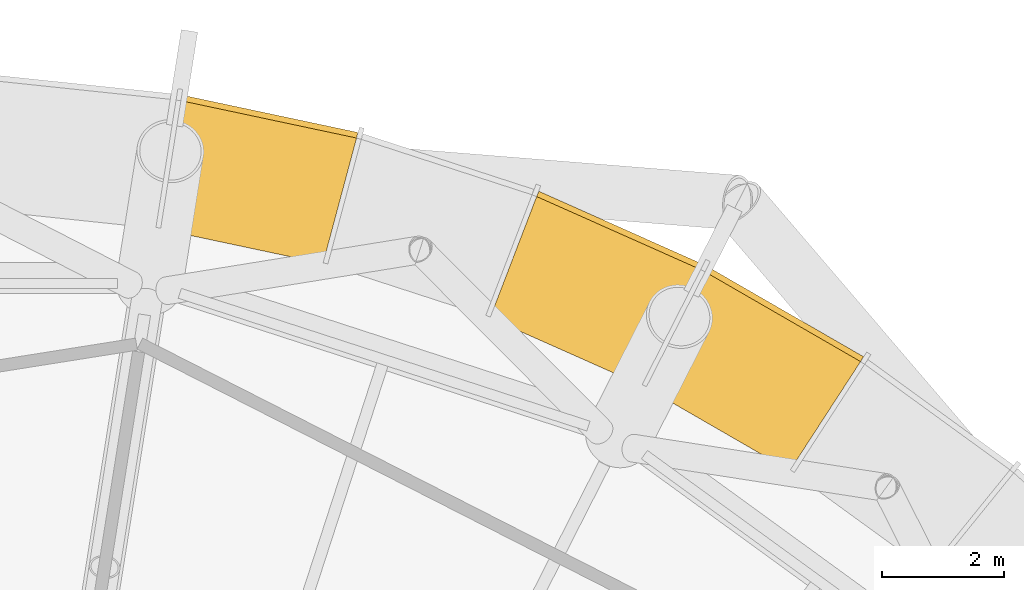
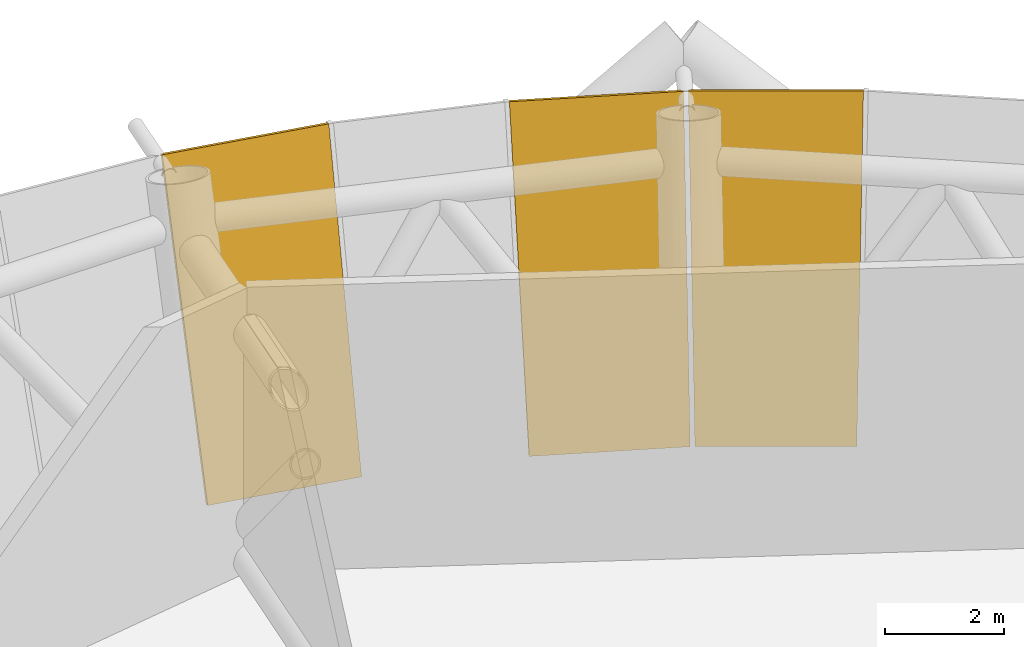
# One storey, part 15 of 15: 3 shading devices.
"""IFC4 building model written with IfcOpenShell, lengths in metres."""

from ifc_helpers import new_model, si_unit, direction, frame, origin, place, context, subcontext, project, spatial, polyline, outline, extrude, material, layer, layer_set, type_object, element, save


model = new_model("IFC4")

# Units and contexts
model_context = context("Model", 3, precision=1e-05, world=origin(), true_north=direction((0.0, 1.0)))
body_context = subcontext(model_context, "Body", "Model", "MODEL_VIEW")
ifc_project = project(units=[si_unit("LENGTHUNIT", "METRE"), si_unit("AREAUNIT", "SQUARE_METRE"), si_unit("VOLUMEUNIT", "CUBIC_METRE"), si_unit("PLANEANGLEUNIT", "RADIAN"), si_unit("MASSUNIT", "GRAM", prefix="KILO")], contexts=[model_context])

# Site, building, storey
site_placement = place(None, origin())
site = spatial("IfcSite", under=ifc_project, at=site_placement, CompositionType="ELEMENT")
building_placement = place(site_placement, origin())
building = spatial("IfcBuilding", under=site, at=building_placement, Name="Entoto Ring Tower", CompositionType="ELEMENT")
storey_placement = place(building_placement, frame((0.0, 0.0, 268.0)))
storey = spatial("IfcBuildingStorey", under=building, at=storey_placement, Name="L61", CompositionType="ELEMENT", Elevation=268.0)

# Shading devices
ifc_material = material(Name="Anodised aluminium", Category="aluminium")
ifc_layer = layer(ifc_material, 0.10009765625)
ifc_layer_set = layer_set([ifc_layer], Name="Anodised aluminium")
shading_device_type = type_object("IfcShadingDeviceType", Name="Louvre bank 100 mm anodised aluminium", PredefinedType="JALOUSIE", material=ifc_layer_set)
shading_device_1_placement = place(storey_placement, frame((104.568603515625, 102.507080078125, 0.034423828125), z_axis=(-0.469393566019, -0.813120169078, 0.344245945246), x_axis=(-0.866055638823, 0.49994762762, -1.0007896e-05)))
element("IfcShadingDevice", 1, at=shading_device_1_placement, inside=storey, type_object=shading_device_type, Name="LOUVRE L61-08", PredefinedType="JALOUSIE", context=body_context, shape_type="SweptSolid", body=[
    extrude(outline(polyline([(0.0, 0.0), (2.726488706957456, -5.551115123125783e-17), (2.837999088353802, -6.194300957458687), (-0.11185194267536169, -6.194240451062997), (0.0, 0.0)])), origin(), (0.0, 0.0, -1.0), 0.10009765625),
])
shading_device_2_placement = place(storey_placement, frame((102.135986328125, 103.906494140625, 0.034423828125), z_axis=(-0.381884854523, -0.857696342398, 0.344268706279), x_axis=(-0.913541509085, 0.406745511436, -1.0250282e-05)))
element("IfcShadingDevice", 2, at=shading_device_2_placement, inside=storey, type_object=shading_device_type, Name="LOUVRE L61-09", PredefinedType="JALOUSIE", context=body_context, shape_type="SweptSolid", body=[
    extrude(outline(polyline([(0.0, 0.0), (2.7264132296457895, 0.0), (2.8380555742337865, -6.1943567529712755), (-0.11185296238486021, -6.194294780782693), (0.0, 0.0)])), origin(), (0.0, 0.0, -1.0), 0.10009765625),
])
shading_device_3_placement = place(storey_placement, frame((96.900390625, 105.907470703125, 0.034423828125), z_axis=(-0.195166206795, -0.91836744774, 0.344254822271), x_axis=(-0.978156642237, 0.207869149173, -8.312235e-06)))
element("IfcShadingDevice", 3, at=shading_device_3_placement, inside=storey, type_object=shading_device_type, Name="LOUVRE L61-11", PredefinedType="JALOUSIE", context=body_context, shape_type="SweptSolid", body=[
    extrude(outline(polyline([(0.0, 0.0), (2.7262864498019637, 2.7755575615628914e-17), (2.8379723109782473, -6.1943173057190215), (-0.11197902137661825, -6.194267051789336), (0.0, 0.0)])), origin(), (0.0, 0.0, -1.0), 0.10009765625),
])

save(model, "model.ifc")
